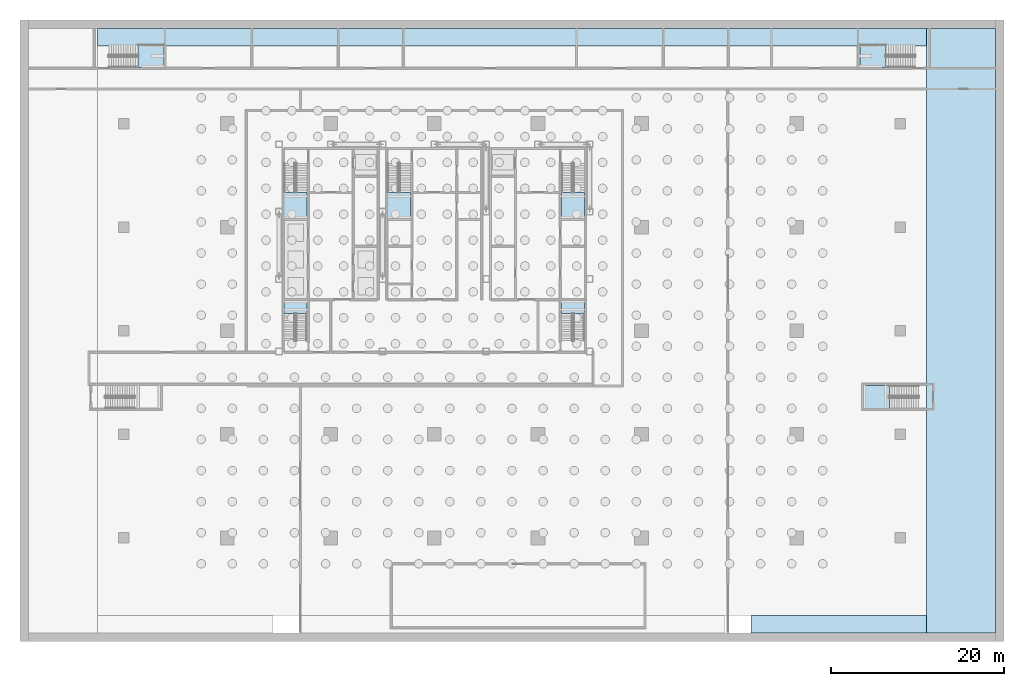
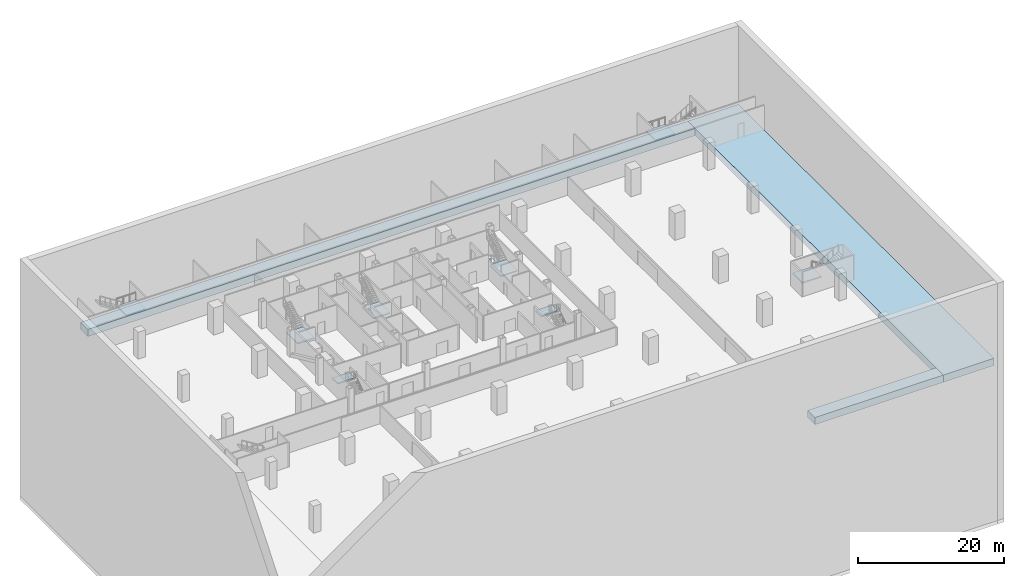
# One storey, part 3 of 18: 11 slabs, 8 elements without a shape of their own.
"""IFC4 building model written with IfcOpenShell, lengths in metres."""

from ifc_helpers import new_model, si_unit, direction, frame, origin, place, context, subcontext, project, spatial, polyline, outline, extrude, material, layer, layer_set, type_object, element, aggregate, save


model = new_model("IFC4")

# Units and contexts
model_context = context("Model", 3, precision=1e-05, world=origin(), true_north=direction((0.0, 1.0)))
body_context = subcontext(model_context, "Body", "Model", "MODEL_VIEW")
ifc_project = project(units=[si_unit("LENGTHUNIT", "METRE"), si_unit("AREAUNIT", "SQUARE_METRE"), si_unit("VOLUMEUNIT", "CUBIC_METRE"), si_unit("PLANEANGLEUNIT", "RADIAN"), si_unit("MASSUNIT", "GRAM", prefix="KILO")], contexts=[model_context])

# Site, building, storey
site_placement = place(None, origin())
site = spatial("IfcSite", under=ifc_project, at=site_placement, CompositionType="ELEMENT")
building_placement = place(site_placement, origin())
building = spatial("IfcBuilding", under=site, at=building_placement, Name="Sorahane Residences", CompositionType="ELEMENT")
storey_placement = place(building_placement, frame((0.0, 0.0, -13.5)))
storey = spatial("IfcBuildingStorey", under=building, at=storey_placement, Name="B3", CompositionType="ELEMENT", Elevation=-13.5)

# Slabs
ifc_material_1 = material(Name="Concrete C40", Category="concrete")
ifc_layer_1 = layer(ifc_material_1, 1.199951171875)
ifc_layer_set_1 = layer_set([ifc_layer_1], Name="Basement base slab 1200 mm Concrete C40")
slab_type_1 = type_object("IfcSlabType", Name="Basement base slab 1200 mm Concrete C40", PredefinedType="BASESLAB", material=ifc_layer_set_1)
slab_1_placement = place(storey_placement, frame((0.0, 0.0, -1.199951171875)))
element("IfcSlab", 1, at=slab_1_placement, inside=storey, type_object=slab_type_1, Name="Base slab east", PredefinedType="BASESLAB", context=body_context, shape_type="SweptSolid", body=[
    extrude(outline(polyline([(81.0, -11.0), (89.0, -11.0), (89.0, 59.0), (81.0, 59.0), (81.0, -11.0)])), origin(), (0.0, 0.0, 1.0), 1.199951171875),
])
slab_2_placement = place(storey_placement, frame((0.0, 0.0, -1.199951171875)))
element("IfcSlab", 2, at=slab_2_placement, inside=storey, type_object=slab_type_1, Name="Base slab south 3", PredefinedType="BASESLAB", context=body_context, shape_type="SweptSolid", body=[
    extrude(outline(polyline([(60.699951171875, -11.0), (81.0, -11.0), (81.0, -9.0), (60.699951171875, -9.0), (60.699951171875, -11.0)])), origin(), (0.0, 0.0, 1.0), 1.199951171875),
])
slab_3_placement = place(storey_placement, frame((0.0, 0.0, -1.199951171875)))
element("IfcSlab", 3, at=slab_3_placement, inside=storey, type_object=slab_type_1, Name="Base slab north", PredefinedType="BASESLAB", context=body_context, shape_type="SweptSolid", body=[
    extrude(outline(polyline([(-15.0, 57.0), (81.0, 57.0), (81.0, 59.0), (-15.0, 59.0), (-15.0, 57.0)])), origin(), (0.0, 0.0, 1.0), 1.199951171875),
])

# Stair, slab
ifc_material_2 = material(Name="Concrete C40", Category="concrete")
stair_type = type_object("IfcStairType", Name="Dog-leg stair 1250 Concrete C40", PredefinedType="HALF_TURN_STAIR", material=ifc_material_2)
stair_1_placement = place(storey_placement, origin())
stair_1 = element("IfcStair", 4, at=stair_1_placement, inside=storey, type_object=stair_type, Name="B3 Stair S1", PredefinedType="HALF_TURN_STAIR")
ifc_material_3 = material(Name="Concrete C40", Category="concrete")
ifc_layer_2 = layer(ifc_material_3, 0.199951171875)
ifc_layer_set_2 = layer_set([ifc_layer_2], Name="Stair landing 200 Concrete C40")
slab_type_2 = type_object("IfcSlabType", Name="Stair landing 200 Concrete C40", PredefinedType="LANDING", material=ifc_layer_set_2)
slab_4_placement = place(storey_placement, frame((0.0, 0.0, 2.050048828125)))
slab_4 = element("IfcSlab", 5, at=slab_4_placement, type_object=slab_type_2, Name="S1 landing 1", PredefinedType="LANDING", context=body_context, shape_type="SweptSolid", body=[
    extrude(outline(polyline([(6.60009765625, 40.0400390625), (6.60009765625, 37.0), (9.25, 37.0), (9.25, 40.0400390625), (6.60009765625, 40.0400390625)])), origin(), (0.0, 0.0, 1.0), 0.199951171875),
])
aggregate(stair_1, [slab_4])

stair_2_placement = place(storey_placement, origin())
stair_2 = element("IfcStair", 6, at=stair_2_placement, inside=storey, type_object=stair_type, Name="B3 Stair S2", PredefinedType="HALF_TURN_STAIR")
slab_5_placement = place(storey_placement, frame((0.0, 0.0, 2.050048828125)))
slab_5 = element("IfcSlab", 7, at=slab_5_placement, type_object=slab_type_2, Name="S2 landing 1", PredefinedType="LANDING", context=body_context, shape_type="SweptSolid", body=[
    extrude(outline(polyline([(38.75, 40.0400390625), (38.75, 37.0), (41.39990234375, 37.0), (41.39990234375, 40.0400390625), (38.75, 40.0400390625)])), origin(), (0.0, 0.0, 1.0), 0.199951171875),
])
aggregate(stair_2, [slab_5])

stair_3_placement = place(storey_placement, origin())
stair_3 = element("IfcStair", 8, at=stair_3_placement, inside=storey, type_object=stair_type, Name="B3 Stair S3", PredefinedType="HALF_TURN_STAIR")
slab_6_placement = place(storey_placement, frame((0.0, 0.0, 2.050048828125)))
slab_6 = element("IfcSlab", 9, at=slab_6_placement, type_object=slab_type_2, Name="S3 landing 1", PredefinedType="LANDING", context=body_context, shape_type="SweptSolid", body=[
    extrude(outline(polyline([(18.60009765625, 40.0400390625), (18.60009765625, 37.0), (21.25, 37.0), (21.25, 40.0400390625), (18.60009765625, 40.0400390625)])), origin(), (0.0, 0.0, 1.0), 0.199951171875),
])
aggregate(stair_3, [slab_6])

stair_4_placement = place(storey_placement, origin())
stair_4 = element("IfcStair", 10, at=stair_4_placement, inside=storey, type_object=stair_type, Name="B3 Stair S4", PredefinedType="HALF_TURN_STAIR")
slab_7_placement = place(storey_placement, frame((0.0, 0.0, 2.050048828125)))
slab_7 = element("IfcSlab", 11, at=slab_7_placement, type_object=slab_type_2, Name="S4 landing 1", PredefinedType="LANDING", context=body_context, shape_type="SweptSolid", body=[
    extrude(outline(polyline([(9.25, 25.969970703125), (9.25, 27.5), (6.60009765625, 27.5), (6.60009765625, 25.969970703125), (9.25, 25.969970703125)])), origin(), (0.0, 0.0, 1.0), 0.199951171875),
])
aggregate(stair_4, [slab_7])

stair_5_placement = place(storey_placement, origin())
stair_5 = element("IfcStair", 12, at=stair_5_placement, inside=storey, type_object=stair_type, Name="B3 Stair S5", PredefinedType="HALF_TURN_STAIR")
slab_8_placement = place(storey_placement, frame((0.0, 0.0, 2.050048828125)))
slab_8 = element("IfcSlab", 13, at=slab_8_placement, type_object=slab_type_2, Name="S5 landing 1", PredefinedType="LANDING", context=body_context, shape_type="SweptSolid", body=[
    extrude(outline(polyline([(41.39990234375, 25.969970703125), (41.39990234375, 27.5), (38.75, 27.5), (38.75, 25.969970703125), (41.39990234375, 25.969970703125)])), origin(), (0.0, 0.0, 1.0), 0.199951171875),
])
aggregate(stair_5, [slab_8])

stair_6_placement = place(storey_placement, origin())
stair_6 = element("IfcStair", 14, at=stair_6_placement, inside=storey, type_object=stair_type, Name="B3 Basement stair BS1", PredefinedType="HALF_TURN_STAIR")
slab_9_placement = place(storey_placement, frame((0.0, 0.0, 2.050048828125)))
slab_9 = element("IfcSlab", 15, at=slab_9_placement, type_object=slab_type_2, Name="BS1 landing 1", PredefinedType="LANDING", context=body_context, shape_type="SweptSolid", body=[
    extrude(outline(polyline([(-10.340087890625, 54.5), (-7.300048828125, 54.5), (-7.300048828125, 57.14990234375), (-10.340087890625, 57.14990234375), (-10.340087890625, 54.5)])), origin(), (0.0, 0.0, 1.0), 0.199951171875),
])
aggregate(stair_6, [slab_9])

stair_7_placement = place(storey_placement, origin())
stair_7 = element("IfcStair", 16, at=stair_7_placement, inside=storey, type_object=stair_type, Name="B3 Basement stair BS2", PredefinedType="HALF_TURN_STAIR")
slab_10_placement = place(storey_placement, frame((0.0, 0.0, 2.050048828125)))
slab_10 = element("IfcSlab", 17, at=slab_10_placement, type_object=slab_type_2, Name="BS2 landing 1", PredefinedType="LANDING", context=body_context, shape_type="SweptSolid", body=[
    extrude(outline(polyline([(76.340087890625, 57.14990234375), (73.300048828125, 57.14990234375), (73.300048828125, 54.5), (76.340087890625, 54.5), (76.340087890625, 57.14990234375)])), origin(), (0.0, 0.0, 1.0), 0.199951171875),
])
aggregate(stair_7, [slab_10])

stair_8_placement = place(storey_placement, origin())
stair_8 = element("IfcStair", 18, at=stair_8_placement, inside=storey, type_object=stair_type, Name="B3 Basement stair BS4", PredefinedType="HALF_TURN_STAIR")
slab_11_placement = place(storey_placement, frame((0.0, 0.0, 2.050048828125)))
slab_11 = element("IfcSlab", 19, at=slab_11_placement, type_object=slab_type_2, Name="BS4 landing 1", PredefinedType="LANDING", context=body_context, shape_type="SweptSolid", body=[
    extrude(outline(polyline([(76.739990234375, 17.64990234375), (73.699951171875, 17.64990234375), (73.699951171875, 15.0), (76.739990234375, 15.0), (76.739990234375, 17.64990234375)])), origin(), (0.0, 0.0, 1.0), 0.199951171875),
])
aggregate(stair_8, [slab_11])

save(model, "model.ifc")
